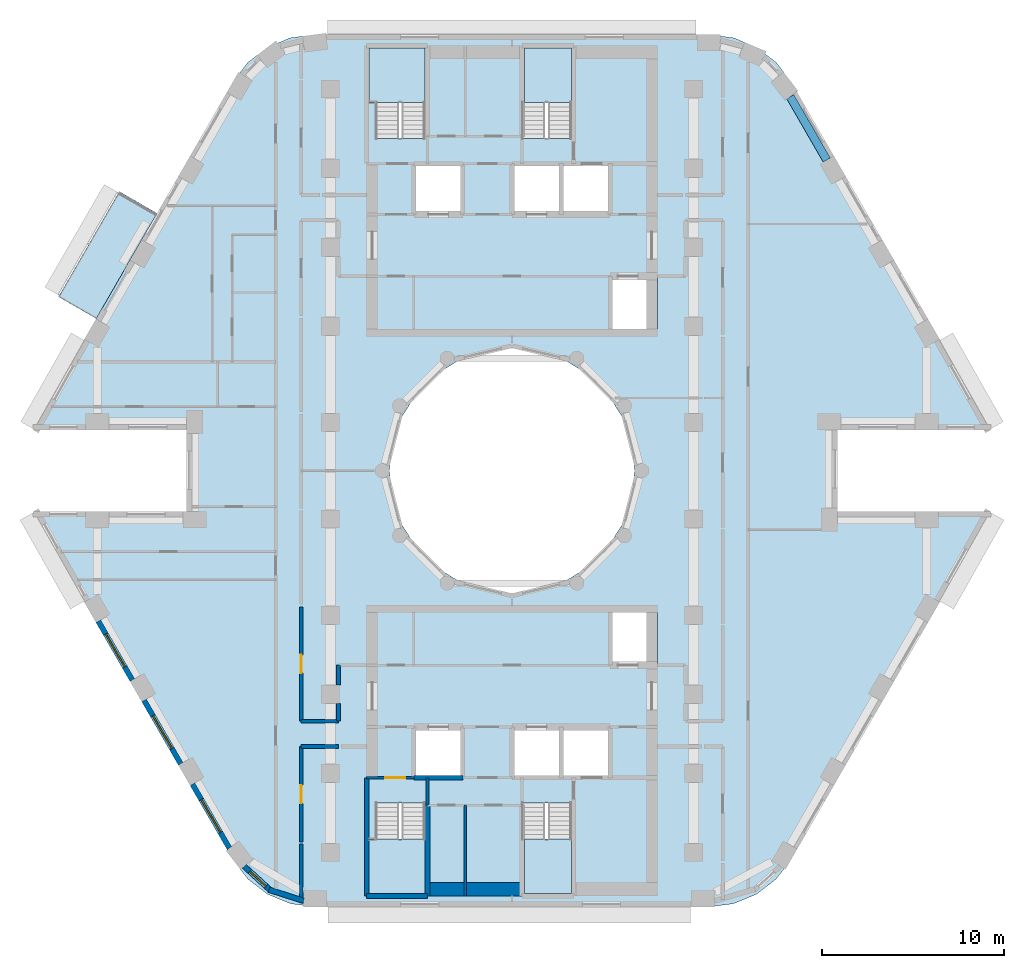
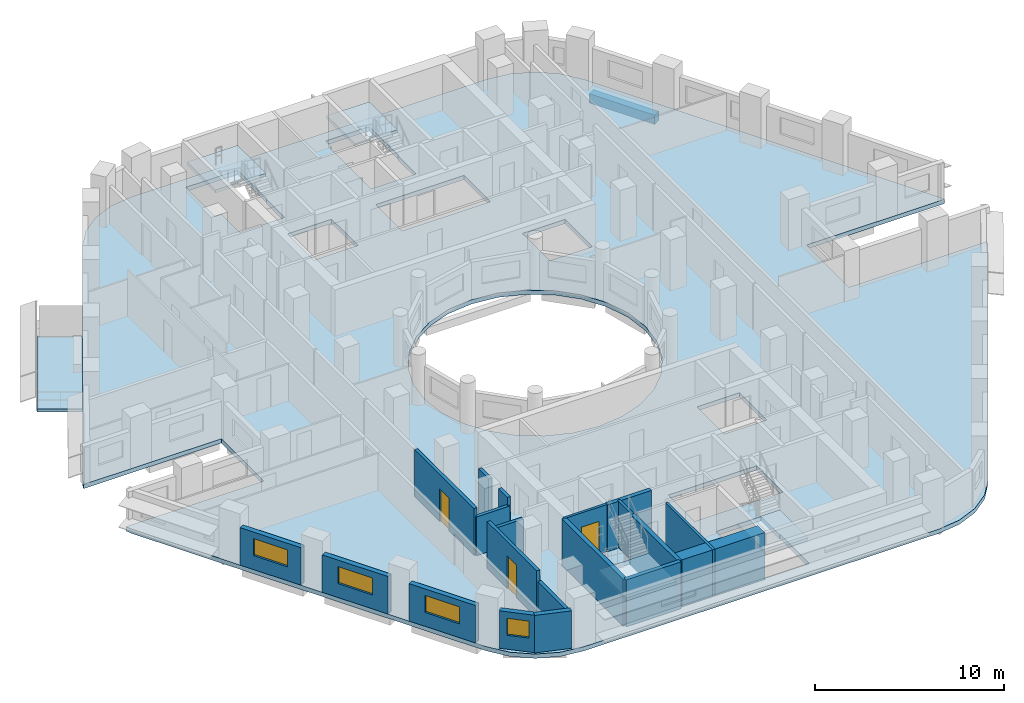
# One storey, part 2 of 13: 20 walls, 6 slabs, 4 windows, 3 doors, 1 beam, 7 openings, 4 elements without a shape of their own.
"""IFC4 building model written with IfcOpenShell, lengths in metres."""

from ifc_helpers import new_model, si_unit, direction, frame, frame_2d, origin, origin_2d, place, context, subcontext, project, spatial, polyline, rectangle, outline, extrude, material, layer, layer_set, material_profile, profile_set, type_object, element, fill, aggregate, save


model = new_model("IFC4")

# Units and contexts
model_context = context("Model", 3, precision=1e-05, world=origin(), true_north=direction((0.0, 1.0)))
body_context = subcontext(model_context, "Body", "Model", "MODEL_VIEW")
ifc_project = project(units=[si_unit("LENGTHUNIT", "METRE"), si_unit("AREAUNIT", "SQUARE_METRE"), si_unit("VOLUMEUNIT", "CUBIC_METRE"), si_unit("PLANEANGLEUNIT", "RADIAN"), si_unit("MASSUNIT", "GRAM", prefix="KILO")], contexts=[model_context])

# Site, building, storey
site_placement = place(None, origin())
site = spatial("IfcSite", under=ifc_project, at=site_placement, CompositionType="ELEMENT")
building_placement = place(site_placement, origin())
building = spatial("IfcBuilding", under=site, at=building_placement, Name="Nakaniwa Court", CompositionType="ELEMENT")
storey_placement = place(building_placement, frame((0.0, 0.0, 137.10009765625)))
storey = spatial("IfcBuildingStorey", under=building, at=storey_placement, Name="L35", CompositionType="ELEMENT", Elevation=137.10009765625)

# Beam
ifc_material_1 = material(Name="Concrete C80/100", Category="concrete")
ifc_material_profile = material_profile(ifc_material_1, rectangle(XDim=0.449951171875, YDim=0.60009765625, at=origin_2d()), Name="Concrete C80/100 RC 450x600 spandrel beam")
ifc_profile_set = profile_set([ifc_material_profile], Name="Concrete C80/100")
beam_type = type_object("IfcBeamType", Name="Concrete C80/100 RC 450x600 spandrel beam", PredefinedType="BEAM", material=ifc_profile_set)
beam_placement = place(storey_placement, frame((97.320556640625, 97.10009765625, -0.5751953125), z_axis=(-0.500018573463, 0.866014680125, 0.0), x_axis=(-0.866014680125, -0.500018573463, 0.0)))
element("IfcBeam", 1, at=beam_placement, inside=storey, type_object=beam_type, Name="SPANDREL BEAM", PredefinedType="BEAM", context=body_context, shape_type="SweptSolid", body=[
    extrude(rectangle(XDim=0.449951171875, YDim=0.60009765625, at=origin_2d()), origin(), (0.0, 0.0, 1.0), 4.020263671875),
])

# Slabs
ifc_material_2 = material(Name="Charcoal ceramic paver")
ifc_layer_1 = layer(ifc_material_2, 0.02, Name="Ceramic paver")
ifc_material_3 = material(Name="Cement sand screed")
ifc_layer_2 = layer(ifc_material_3, 0.03, Name="Falls screed")
ifc_material_4 = material(Name="Concrete C40/50", Category="concrete")
ifc_layer_3 = layer(ifc_material_4, 0.15, Name="Balcony slab")
ifc_layer_set_1 = layer_set([ifc_layer_1, ifc_layer_2, ifc_layer_3], Name="Concrete C40/50 balcony slab with ceramic paver finish")
slab_type_1 = type_object("IfcSlabType", Name="Balcony slab 200", PredefinedType="FLOOR", material=ifc_layer_set_1)
slab_1_placement = place(storey_placement, frame((0.0, 0.0, -0.25)))
element("IfcSlab", 2, at=slab_1_placement, inside=storey, type_object=slab_type_1, Name="L35 balcony 01", PredefinedType="FLOOR", context=body_context, shape_type="SweptSolid", body=[
    extrude(outline(polyline([(60.466796875, 94.16748046875), (57.12255859375, 88.375), (55.044189453125, 89.574951171875), (58.38818359375, 95.36767578125), (60.466796875, 94.16748046875)])), origin(), (0.0, 0.0, 1.0), 0.199951171875),
])
ifc_layer_4 = layer(ifc_material_1, 0.27490234375)
ifc_layer_set_2 = layer_set([ifc_layer_4], Name="Concrete C80/100")
slab_type_2 = type_object("IfcSlabType", Name="Concrete C80/100 post tensioned floor slab 275", PredefinedType="FLOOR", material=ifc_layer_set_2)
slab_2_placement = place(storey_placement, frame((0.0, 0.0, -0.275146484375)))
element("IfcSlab", 3, at=slab_2_placement, inside=storey, type_object=slab_type_2, Name="FLOOR SLAB", PredefinedType="FLOOR", context=body_context, shape_type="SweptSolid", body=[
    extrude(outline(polyline([(97.908447265625, 82.25), (106.356689453125, 82.25), (106.211669921875, 82.60009765625), (95.357421875, 101.39990234375), (94.531005859375, 102.47705078125), (93.4541015625, 103.30322265625), (92.199951171875, 103.82275390625), (90.854248046875, 104.0), (69.145751953125, 104.0), (67.800048828125, 103.82275390625), (66.5458984375, 103.30322265625), (65.468994140625, 102.47705078125), (64.642578125, 101.39990234375), (53.788330078125, 82.60009765625), (53.643310546875, 82.25), (62.091552734375, 82.25), (62.091552734375, 77.75), (53.643310546875, 77.75), (53.788330078125, 77.39990234375), (64.642578125, 58.60009765625), (65.468994140625, 57.52294921875), (66.5458984375, 56.69677734375), (67.800048828125, 56.17724609375), (69.145751953125, 56.0), (90.854248046875, 56.0), (92.199951171875, 56.17724609375), (93.4541015625, 56.69677734375), (94.531005859375, 57.52294921875), (95.357421875, 58.60009765625), (106.211669921875, 77.39990234375), (106.356689453125, 77.75), (97.908447265625, 77.75), (97.908447265625, 82.25)]), holes=[polyline([(81.501953125, 86.580810546875), (80.0, 86.75), (78.498046875, 86.580810546875), (77.0712890625, 86.08154296875), (75.79150390625, 85.27734375), (74.72265625, 84.20849609375), (73.91845703125, 82.9287109375), (73.419189453125, 81.501953125), (73.25, 80.0), (73.419189453125, 78.498046875), (73.91845703125, 77.0712890625), (74.72265625, 75.79150390625), (75.79150390625, 74.72265625), (77.0712890625, 73.91845703125), (78.498046875, 73.419189453125), (80.0, 73.25), (81.501953125, 73.419189453125), (82.9287109375, 73.91845703125), (84.20849609375, 74.72265625), (85.27734375, 75.79150390625), (86.08154296875, 77.0712890625), (86.580810546875, 78.498046875), (86.75, 80.0), (86.580810546875, 81.501953125), (86.08154296875, 82.9287109375), (85.27734375, 84.20849609375), (84.20849609375, 85.27734375), (82.9287109375, 86.08154296875), (81.501953125, 86.580810546875)]), polyline([(72.47509765625, 61.7099609375), (72.47509765625, 59.764892578125), (72.0849609375, 59.764892578125), (72.0849609375, 56.68505859375), (75.264892578125, 56.68505859375), (75.264892578125, 59.764892578125), (75.22509765625, 59.764892578125), (75.22509765625, 61.7099609375), (72.47509765625, 61.7099609375)]), polyline([(77.300048828125, 65.89990234375), (74.60009765625, 65.89990234375), (74.60009765625, 63.10009765625), (77.300048828125, 63.10009765625), (77.300048828125, 65.89990234375)]), polyline([(80.0, 65.89990234375), (80.0, 63.10009765625), (82.699951171875, 63.10009765625), (85.39990234375, 63.10009765625), (85.39990234375, 65.89990234375), (82.699951171875, 65.89990234375), (80.0, 65.89990234375)]), polyline([(77.300048828125, 96.89990234375), (74.60009765625, 96.89990234375), (74.60009765625, 94.10009765625), (77.300048828125, 94.10009765625), (77.300048828125, 96.89990234375)]), polyline([(80.0, 96.89990234375), (80.0, 94.10009765625), (82.699951171875, 94.10009765625), (85.39990234375, 94.10009765625), (85.39990234375, 96.89990234375), (82.699951171875, 96.89990234375), (80.0, 96.89990234375)]), polyline([(75.264892578125, 100.235107421875), (75.264892578125, 103.31494140625), (72.0849609375, 103.31494140625), (72.0849609375, 100.235107421875), (72.47509765625, 100.235107421875), (72.47509765625, 98.2900390625), (75.22509765625, 98.2900390625), (75.22509765625, 100.235107421875), (75.264892578125, 100.235107421875)]), polyline([(83.27490234375, 61.7099609375), (80.52490234375, 61.7099609375), (80.52490234375, 57.324951171875), (80.635009765625, 57.324951171875), (80.635009765625, 56.68505859375), (83.31494140625, 56.68505859375), (83.31494140625, 59.764892578125), (83.27490234375, 59.764892578125), (83.27490234375, 61.7099609375)]), polyline([(88.0, 72.199951171875), (85.39990234375, 72.199951171875), (85.39990234375, 69.300048828125), (88.0, 69.300048828125), (88.0, 72.199951171875)]), polyline([(88.0, 90.699951171875), (85.39990234375, 90.699951171875), (85.39990234375, 87.800048828125), (88.0, 87.800048828125), (88.0, 90.699951171875)]), polyline([(83.31494140625, 100.235107421875), (83.31494140625, 103.31494140625), (80.635009765625, 103.31494140625), (80.635009765625, 102.675048828125), (80.52490234375, 102.675048828125), (80.52490234375, 98.2900390625), (83.27490234375, 98.2900390625), (83.27490234375, 100.235107421875), (83.31494140625, 100.235107421875)])]), origin(), (0.0, 0.0, 1.0), 0.275146484375),
])

# Stair, slab
stair_type = type_object("IfcStairType", Name="Dog leg stair 1300 wide 18 risers", PredefinedType="HALF_TURN_STAIR", material=ifc_material_1)
stair_1_placement = place(storey_placement, origin())
stair_1 = element("IfcStair", 4, at=stair_1_placement, inside=storey, type_object=stair_type, Name="L35 Stair ST1", PredefinedType="HALF_TURN_STAIR")
ifc_layer_5 = layer(ifc_material_1, 0.199951171875)
ifc_layer_set_3 = layer_set([ifc_layer_5], Name="Concrete C80/100")
slab_type_3 = type_object("IfcSlabType", Name="Stair landing concrete", PredefinedType="LANDING", material=ifc_layer_set_3)
slab_3_placement = place(storey_placement, frame((0.0, 0.0, 1.449951171875)))
slab_3 = element("IfcSlab", 5, at=slab_3_placement, type_object=slab_type_3, Name="ST1 landing 1", PredefinedType="LANDING", context=body_context, shape_type="SweptSolid", body=[
    extrude(outline(polyline([(75.22509765625, 100.27490234375), (75.22509765625, 103.27490234375), (72.125, 103.27490234375), (72.125, 100.27490234375), (75.22509765625, 100.27490234375)])), origin(), (0.0, 0.0, 1.0), 0.199951171875),
])
aggregate(stair_1, [slab_3])

stair_2_placement = place(storey_placement, origin())
stair_2 = element("IfcStair", 6, at=stair_2_placement, inside=storey, type_object=stair_type, Name="L35 Stair ST2", PredefinedType="HALF_TURN_STAIR")
slab_4_placement = place(storey_placement, frame((0.0, 0.0, 1.449951171875)))
slab_4 = element("IfcSlab", 7, at=slab_4_placement, type_object=slab_type_3, Name="ST2 landing 1", PredefinedType="LANDING", context=body_context, shape_type="SweptSolid", body=[
    extrude(outline(polyline([(83.27490234375, 100.27490234375), (83.27490234375, 103.27490234375), (80.675048828125, 103.27490234375), (80.675048828125, 100.27490234375), (83.27490234375, 100.27490234375)])), origin(), (0.0, 0.0, 1.0), 0.199951171875),
])
aggregate(stair_2, [slab_4])

stair_3_placement = place(storey_placement, origin())
stair_3 = element("IfcStair", 8, at=stair_3_placement, inside=storey, type_object=stair_type, Name="L35 Stair ST3", PredefinedType="HALF_TURN_STAIR")
slab_5_placement = place(storey_placement, frame((0.0, 0.0, 1.449951171875)))
slab_5 = element("IfcSlab", 9, at=slab_5_placement, type_object=slab_type_3, Name="ST3 landing 1", PredefinedType="LANDING", context=body_context, shape_type="SweptSolid", body=[
    extrude(outline(polyline([(75.22509765625, 56.72509765625), (75.22509765625, 59.72509765625), (72.125, 59.72509765625), (72.125, 56.72509765625), (75.22509765625, 56.72509765625)])), origin(), (0.0, 0.0, 1.0), 0.199951171875),
])
aggregate(stair_3, [slab_5])

stair_4_placement = place(storey_placement, origin())
stair_4 = element("IfcStair", 10, at=stair_4_placement, inside=storey, type_object=stair_type, Name="L35 Stair ST4", PredefinedType="HALF_TURN_STAIR")
slab_6_placement = place(storey_placement, frame((0.0, 0.0, 1.449951171875)))
slab_6 = element("IfcSlab", 11, at=slab_6_placement, type_object=slab_type_3, Name="ST4 landing 1", PredefinedType="LANDING", context=body_context, shape_type="SweptSolid", body=[
    extrude(outline(polyline([(83.27490234375, 56.72509765625), (83.27490234375, 59.72509765625), (80.675048828125, 59.72509765625), (80.675048828125, 56.72509765625), (83.27490234375, 56.72509765625)])), origin(), (0.0, 0.0, 1.0), 0.199951171875),
])
aggregate(stair_4, [slab_6])

# Walls
ifc_material_5 = material(Name="Acoustic double stud partition")
ifc_layer_6 = layer(ifc_material_5, 0.199951171875)
ifc_layer_set_4 = layer_set([ifc_layer_6], Name="Acoustic double stud partition")
wall_type_1 = type_object("IfcWallType", Name="Acoustic double stud partition 200", PredefinedType="PARTITIONING", material=ifc_layer_set_4)
wall_1_placement = place(storey_placement, frame((68.39990234375, 64.824951171875, 0.0), z_axis=(0.0, 0.0, 1.0), x_axis=(1.0, 0.0, 0.0)))
element("IfcWall", 12, at=wall_1_placement, inside=storey, type_object=wall_type_1, Name="Partition PW-073", PredefinedType="PARTITIONING", context=body_context, shape_type="SweptSolid", body=[
    extrude(rectangle(XDim=2.06298828125, YDim=0.199951171875, at=frame_2d((1.031494140625, 0.0))), origin(), (0.0, 0.0, 1.0), 2.5048828125),
])
wall_2_placement = place(storey_placement, frame((68.39990234375, 66.22509765625, 0.0), z_axis=(0.0, 0.0, 1.0), x_axis=(1.0, 0.0, 0.0)))
element("IfcWall", 13, at=wall_2_placement, inside=storey, type_object=wall_type_1, Name="Partition PW-084", PredefinedType="PARTITIONING", context=body_context, shape_type="SweptSolid", body=[
    extrude(rectangle(XDim=2.050048828125, YDim=0.199951171875, at=frame_2d((1.02490234375, 0.0))), origin(), (0.0, 0.0, 1.0), 2.5048828125),
])
wall_3_placement = place(storey_placement, frame((68.39990234375, 56.40087890625, 0.0), z_axis=(0.0, 0.0, 1.0), x_axis=(0.0, 1.0, 0.0)))
element("IfcWall", 14, at=wall_3_placement, inside=storey, type_object=wall_type_1, Name="Partition PW-094", PredefinedType="PARTITIONING", context=body_context, shape_type="SweptSolid", body=[
    extrude(rectangle(XDim=3.06201171875, YDim=0.199951171875, at=frame_2d((1.531005859375, 0.0))), origin(), (0.0, 0.0, 1.0), 2.40478515625),
])

# Wall, opening, door
wall_4_placement = place(storey_placement, frame((68.39990234375, 64.824951171875, 0.0), z_axis=(0.0, 0.0, 1.0), x_axis=(0.0, -1.0, 0.0)))
wall_4 = element("IfcWall", 15, at=wall_4_placement, inside=storey, type_object=wall_type_1, Name="Partition PW-095", PredefinedType="PARTITIONING", context=body_context, shape_type="SweptSolid", body=[
    extrude(rectangle(XDim=5.247802734375, YDim=0.199951171875, at=frame_2d((2.6240234375, 0.0))), origin(), (0.0, 0.0, 1.0), 3.02490234375),
])
opening_1_placement = place(wall_4_placement, frame((2.123046875, 0.0, 0.0)))
opening_1 = element("IfcOpeningElement", 16, at=opening_1_placement, cuts=wall_4, Name="Opening D-02-06", PredefinedType="OPENING", context=body_context, shape_type="SweptSolid", body=[
    extrude(rectangle(XDim=1.0, YDim=2.10009765625, at=frame_2d((0.5, 1.050048828125))), frame((0.0, 0.10986328125, 0.0), z_axis=(0.0, -1.0, 0.0), x_axis=(1.0, 0.0, 0.0)), (0.0, 0.0, 1.0), 0.219970703125),
])
ifc_material_6 = material(Name="Solid core timber door set, black veneer", Category="wood")
door_type_1 = type_object("IfcDoorType", Name="Internal door 1000", OperationType="NOTDEFINED", PredefinedType="DOOR", material=ifc_material_6)
door_1_placement = place(opening_1_placement, origin())
door_1 = element("IfcDoor", 17, at=door_1_placement, inside=storey, type_object=door_type_1, Name="Door D-02-06 L35-026", OperationType="SINGLE_SWING_LEFT", OverallHeight=2.10009765625, OverallWidth=1.0, PredefinedType="DOOR", context=body_context, shape_type="SweptSolid", body=[
    extrude(rectangle(XDim=1.0, YDim=2.10009765625, at=frame_2d((0.5, 1.050048828125))), frame((0.0, 0.02490234375, 0.0), z_axis=(0.0, -1.0, 0.0), x_axis=(1.0, 0.0, 0.0)), (0.0, 0.0, 1.0), 0.050048828125),
])
fill(opening_1, door_1)

wall_5_placement = place(storey_placement, frame((68.39990234375, 72.5126953125, 0.0), z_axis=(0.0, 0.0, 1.0), x_axis=(0.0, -1.0, 0.0)))
wall_5 = element("IfcWall", 18, at=wall_5_placement, inside=storey, type_object=wall_type_1, Name="Partition PW-096", PredefinedType="PARTITIONING", context=body_context, shape_type="SweptSolid", body=[
    extrude(rectangle(XDim=6.28759765625, YDim=0.199951171875, at=frame_2d((3.143798828125, 0.0))), origin(), (0.0, 0.0, 1.0), 3.02490234375),
])
opening_2_placement = place(wall_5_placement, frame((2.64501953125, 0.0, 0.0)))
opening_2 = element("IfcOpeningElement", 19, at=opening_2_placement, cuts=wall_5, Name="Opening D-02-08", PredefinedType="OPENING", context=body_context, shape_type="SweptSolid", body=[
    extrude(rectangle(XDim=1.0, YDim=2.10009765625, at=frame_2d((0.5, 1.050048828125))), frame((0.0, 0.10986328125, 0.0), z_axis=(0.0, -1.0, 0.0), x_axis=(1.0, 0.0, 0.0)), (0.0, 0.0, 1.0), 0.219970703125),
])
door_2_placement = place(opening_2_placement, origin())
door_2 = element("IfcDoor", 20, at=door_2_placement, inside=storey, type_object=door_type_1, Name="Door D-02-08 L35-028", OperationType="SINGLE_SWING_LEFT", OverallHeight=2.10009765625, OverallWidth=1.0, PredefinedType="DOOR", context=body_context, shape_type="SweptSolid", body=[
    extrude(rectangle(XDim=1.0, YDim=2.10009765625, at=frame_2d((0.5, 1.050048828125))), frame((0.0, 0.02490234375, 0.0), z_axis=(0.0, -1.0, 0.0), x_axis=(1.0, 0.0, 0.0)), (0.0, 0.0, 1.0), 0.050048828125),
])
fill(opening_2, door_2)

# Walls
wall_6_placement = place(storey_placement, frame((70.449951171875, 66.22509765625, 0.0), z_axis=(0.0, 0.0, 1.0), x_axis=(0.0, 1.0, 0.0)))
element("IfcWall", 21, at=wall_6_placement, inside=storey, type_object=wall_type_1, Name="Partition PW-104", PredefinedType="PARTITIONING", context=body_context, shape_type="SweptSolid", body=[
    extrude(rectangle(XDim=0.957763671875, YDim=0.199951171875, at=frame_2d((0.47900390625, 0.0))), origin(), (0.0, 0.0, 1.0), 3.02490234375),
])
wall_7_placement = place(storey_placement, frame((70.449951171875, 68.21728515625, 0.0), z_axis=(0.0, 0.0, 1.0), x_axis=(0.0, 1.0, 0.0)))
element("IfcWall", 22, at=wall_7_placement, inside=storey, type_object=wall_type_1, Name="Partition PW-105", PredefinedType="PARTITIONING", context=body_context, shape_type="SweptSolid", body=[
    extrude(rectangle(XDim=1.082763671875, YDim=0.199951171875, at=frame_2d((0.54150390625, 0.0))), origin(), (0.0, 0.0, 1.0), 3.02490234375),
])

# Wall, opening, window
ifc_material_7 = material(Name="Charcoal ceramic cladding")
ifc_layer_7 = layer(ifc_material_7, 0.02, Name="Ceramic cladding")
ifc_material_8 = material(Name="Ventilated air cavity")
ifc_layer_8 = layer(ifc_material_8, 0.04, ventilated=True, Name="Ventilated cavity")
ifc_material_9 = material(Name="Mineral wool insulation")
ifc_layer_9 = layer(ifc_material_9, 0.1, Name="Insulation")
ifc_material_10 = material(Name="Cement bonded sheathing board")
ifc_layer_10 = layer(ifc_material_10, 0.012, Name="Sheathing")
ifc_material_11 = material(Name="Cold-formed galvanised stud frame with mineral wool infill")
ifc_layer_11 = layer(ifc_material_11, 0.1, Name="Stud frame")
ifc_material_12 = material(Name="Fire-rated gypsum plasterboard lining")
ifc_layer_12 = layer(ifc_material_12, 0.028, Name="Lining")
ifc_layer_set_5 = layer_set([ifc_layer_7, ifc_layer_8, ifc_layer_9, ifc_layer_10, ifc_layer_11, ifc_layer_12], Name="Charcoal ceramic faced external wall system")
wall_type_2 = type_object("IfcWallType", Name="Black ceramic faced external wall 300", PredefinedType="SOLIDWALL", material=ifc_layer_set_5)
wall_8_placement = place(storey_placement, frame((57.240478515625, 71.720947265625, 0.0), z_axis=(0.0, 0.0, 1.0), x_axis=(0.499933594891, -0.866063739398, 0.0)))
wall_8 = element("IfcWall", 23, at=wall_8_placement, inside=storey, type_object=wall_type_2, Name="L35 external wall 21", PredefinedType="SOLIDWALL", context=body_context, shape_type="SweptSolid", body=[
    extrude(rectangle(XDim=3.73681640625, YDim=0.300048828125, at=frame_2d((1.868408203125, 0.0))), origin(), (0.0, 0.0, 1.0), 2.4248046875),
])
opening_3_placement = place(wall_8_placement, frame((0.818359375, 0.0, 0.89990234375)))
opening_3 = element("IfcOpeningElement", 24, at=opening_3_placement, cuts=wall_8, Name="Opening W7.23", PredefinedType="OPENING", context=body_context, shape_type="SweptSolid", body=[
    extrude(rectangle(XDim=2.10009765625, YDim=1.10009765625, at=frame_2d((1.050048828125, 0.550048828125))), frame((0.0, 0.159912109375, 0.0), z_axis=(0.0, -1.0, 0.0), x_axis=(1.0, 0.0, 0.0)), (0.0, 0.0, 1.0), 0.320068359375),
])
ifc_material_13 = material(Name="Black anodised aluminium frame with dark low-E laminated double glazing", Category="aluminium")
window_type_1 = type_object("IfcWindowType", Name="Dark glass window 2100x1100 sill 900", PartitioningType="SINGLE_PANEL", PredefinedType="WINDOW", material=ifc_material_13)
window_1_placement = place(opening_3_placement, origin())
window_1 = element("IfcWindow", 25, at=window_1_placement, inside=storey, type_object=window_type_1, Name="L35 habitable room window 21-0", OverallHeight=1.10009765625, OverallWidth=2.10009765625, PartitioningType="SINGLE_PANEL", PredefinedType="WINDOW", context=body_context, shape_type="SweptSolid", body=[
    extrude(rectangle(XDim=2.10009765625, YDim=1.10009765625, at=frame_2d((1.050048828125, 0.550048828125))), frame((0.0, 0.030029296875, 0.0), z_axis=(0.0, -1.0, 0.0), x_axis=(1.0, 0.0, 0.0)), (0.0, 0.0, 1.0), 0.06005859375),
])
fill(opening_3, window_1)

wall_9_placement = place(storey_placement, frame((59.754638671875, 67.36572265625, 0.0), z_axis=(0.0, 0.0, 1.0), x_axis=(0.500031546601, -0.86600718958, 0.0)))
wall_9 = element("IfcWall", 26, at=wall_9_placement, inside=storey, type_object=wall_type_2, Name="L35 external wall 22", PredefinedType="SOLIDWALL", context=body_context, shape_type="SweptSolid", body=[
    extrude(rectangle(XDim=4.033935546875, YDim=0.300048828125, at=frame_2d((2.01708984375, 0.0))), origin(), (0.0, 0.0, 1.0), 2.4248046875),
])
opening_4_placement = place(wall_9_placement, frame((0.966796875, 0.0, 0.89990234375)))
opening_4 = element("IfcOpeningElement", 27, at=opening_4_placement, cuts=wall_9, Name="Opening W7.24", PredefinedType="OPENING", context=body_context, shape_type="SweptSolid", body=[
    extrude(rectangle(XDim=2.10009765625, YDim=1.10009765625, at=frame_2d((1.050048828125, 0.550048828125))), frame((0.0, 0.159912109375, 0.0), z_axis=(0.0, -1.0, 0.0), x_axis=(1.0, 0.0, 0.0)), (0.0, 0.0, 1.0), 0.320068359375),
])
window_2_placement = place(opening_4_placement, origin())
window_2 = element("IfcWindow", 28, at=window_2_placement, inside=storey, type_object=window_type_1, Name="L35 habitable room window 22-0", OverallHeight=1.10009765625, OverallWidth=2.10009765625, PartitioningType="SINGLE_PANEL", PredefinedType="WINDOW", context=body_context, shape_type="SweptSolid", body=[
    extrude(rectangle(XDim=2.10009765625, YDim=1.10009765625, at=frame_2d((1.050048828125, 0.550048828125))), frame((0.0, 0.030029296875, 0.0), z_axis=(0.0, -1.0, 0.0), x_axis=(1.0, 0.0, 0.0)), (0.0, 0.0, 1.0), 0.06005859375),
])
fill(opening_4, window_2)

wall_10_placement = place(storey_placement, frame((62.417724609375, 62.75341796875, 0.0), z_axis=(0.0, 0.0, 1.0), x_axis=(0.500018589245, -0.866014671013, 0.0)))
wall_10 = element("IfcWall", 29, at=wall_10_placement, inside=storey, type_object=wall_type_2, Name="L35 external wall 23", PredefinedType="SOLIDWALL", context=body_context, shape_type="SweptSolid", body=[
    extrude(rectangle(XDim=4.067626953125, YDim=0.300048828125, at=frame_2d((2.03369140625, 0.0))), origin(), (0.0, 0.0, 1.0), 2.4248046875),
])
opening_5_placement = place(wall_10_placement, frame((0.97265625, 0.0, 0.89990234375)))
opening_5 = element("IfcOpeningElement", 30, at=opening_5_placement, cuts=wall_10, Name="Opening W7.25", PredefinedType="OPENING", context=body_context, shape_type="SweptSolid", body=[
    extrude(rectangle(XDim=2.10009765625, YDim=1.10009765625, at=frame_2d((1.050048828125, 0.550048828125))), frame((0.0, 0.159912109375, 0.0), z_axis=(0.0, -1.0, 0.0), x_axis=(1.0, 0.0, 0.0)), (0.0, 0.0, 1.0), 0.320068359375),
])
window_3_placement = place(opening_5_placement, origin())
window_3 = element("IfcWindow", 31, at=window_3_placement, inside=storey, type_object=window_type_1, Name="L35 habitable room window 23-0", OverallHeight=1.10009765625, OverallWidth=2.10009765625, PartitioningType="SINGLE_PANEL", PredefinedType="WINDOW", context=body_context, shape_type="SweptSolid", body=[
    extrude(rectangle(XDim=2.10009765625, YDim=1.10009765625, at=frame_2d((1.050048828125, 0.550048828125))), frame((0.0, 0.030029296875, 0.0), z_axis=(0.0, -1.0, 0.0), x_axis=(1.0, 0.0, 0.0)), (0.0, 0.0, 1.0), 0.06005859375),
])
fill(opening_5, window_3)

wall_11_placement = place(storey_placement, frame((65.26904296875, 58.229248046875, 0.0), z_axis=(0.0, 0.0, 1.0), x_axis=(0.737487298625, -0.675361002995, 0.0)))
wall_11 = element("IfcWall", 32, at=wall_11_placement, inside=storey, type_object=wall_type_2, Name="L35 external wall 24", PredefinedType="SOLIDWALL", context=body_context, shape_type="SweptSolid", body=[
    extrude(rectangle(XDim=1.9765625, YDim=0.300048828125, at=frame_2d((0.98828125, 0.0))), origin(), (0.0, 0.0, 1.0), 2.4248046875),
])
opening_6_placement = place(wall_11_placement, frame((0.41552734375, 0.0, 0.89990234375)))
opening_6 = element("IfcOpeningElement", 33, at=opening_6_placement, cuts=wall_11, Name="Opening W6.26", PredefinedType="OPENING", context=body_context, shape_type="SweptSolid", body=[
    extrude(rectangle(XDim=1.199951171875, YDim=1.10009765625, at=frame_2d((0.60009765625, 0.550048828125))), frame((0.0, 0.159912109375, 0.0), z_axis=(0.0, -1.0, 0.0), x_axis=(1.0, 0.0, 0.0)), (0.0, 0.0, 1.0), 0.320068359375),
])
window_type_2 = type_object("IfcWindowType", Name="Dark glass window 1200x1100 sill 900", PartitioningType="SINGLE_PANEL", PredefinedType="WINDOW", material=ifc_material_13)
window_4_placement = place(opening_6_placement, origin())
window_4 = element("IfcWindow", 34, at=window_4_placement, inside=storey, type_object=window_type_2, Name="L35 habitable room window 24-0", OverallHeight=1.10009765625, OverallWidth=1.199951171875, PartitioningType="SINGLE_PANEL", PredefinedType="WINDOW", context=body_context, shape_type="SweptSolid", body=[
    extrude(rectangle(XDim=1.199951171875, YDim=1.10009765625, at=frame_2d((0.60009765625, 0.550048828125))), frame((0.0, 0.030029296875, 0.0), z_axis=(0.0, -1.0, 0.0), x_axis=(1.0, 0.0, 0.0)), (0.0, 0.0, 1.0), 0.06005859375),
])
fill(opening_6, window_4)

# Walls
wall_12_placement = place(storey_placement, frame((66.625732421875, 56.94580078125, 0.0), z_axis=(0.0, 0.0, 1.0), x_axis=(0.952201240673, -0.305471434444, 0.0)))
element("IfcWall", 35, at=wall_12_placement, inside=storey, type_object=wall_type_2, Name="L35 external wall 25", PredefinedType="SOLIDWALL", context=body_context, shape_type="SweptSolid", body=[
    extrude(rectangle(XDim=1.998779296875, YDim=0.300048828125, at=frame_2d((0.99951171875, 0.0))), origin(), (0.0, 0.0, 1.0), 2.4248046875),
])
ifc_material_14 = material(Name="Blockwork partition", Category="masonry")
ifc_layer_13 = layer(ifc_material_14, 0.14990234375)
ifc_layer_set_6 = layer_set([ifc_layer_13], Name="Blockwork partition")
wall_type_3 = type_object("IfcWallType", Name="Blockwork partition 150", PredefinedType="PARTITIONING", material=ifc_layer_set_6)
wall_13_placement = place(storey_placement, frame((77.429931640625, 56.60009765625, 0.0), z_axis=(0.0, 0.0, 1.0), x_axis=(0.0, 1.0, 0.0)))
element("IfcWall", 36, at=wall_13_placement, inside=storey, type_object=wall_type_3, Name="Partition PW-064", PredefinedType="PARTITIONING", context=body_context, shape_type="SweptSolid", body=[
    extrude(rectangle(XDim=5.0, YDim=0.14990234375, at=frame_2d((2.5, 0.0))), origin(), (0.0, 0.0, 1.0), 3.02490234375),
])

# Wall, opening, door
ifc_layer_14 = layer(ifc_material_1, 0.14990234375)
ifc_layer_set_7 = layer_set([ifc_layer_14], Name="Concrete C80/100")
wall_type_4 = type_object("IfcWallType", Name="Concrete core wall 150 C80", PredefinedType="SHEAR", material=ifc_layer_set_7)
wall_14_placement = place(storey_placement, frame((72.0, 63.10009765625, -0.275146484375), z_axis=(0.0, 0.0, 1.0), x_axis=(1.0, 0.0, 0.0)))
wall_14 = element("IfcWall", 37, at=wall_14_placement, inside=storey, type_object=wall_type_4, Name="Core wall SW-46", PredefinedType="SHEAR", context=body_context, shape_type="SweptSolid", body=[
    extrude(rectangle(XDim=2.60009765625, YDim=0.14990234375, at=frame_2d((1.300048828125, 0.0))), origin(), (0.0, 0.0, 1.0), 3.300048828125),
])
opening_7_placement = place(wall_14_placement, frame((1.02001953125, 0.0, 0.27490234375)))
opening_7 = element("IfcOpeningElement", 38, at=opening_7_placement, cuts=wall_14, Name="Opening D-09-02", PredefinedType="OPENING", context=body_context, shape_type="SweptSolid", body=[
    extrude(rectangle(XDim=1.10009765625, YDim=2.10009765625, at=frame_2d((0.550048828125, 1.050048828125))), frame((0.0, 0.0849609375, 0.0), z_axis=(0.0, -1.0, 0.0), x_axis=(1.0, 0.0, 0.0)), (0.0, 0.0, 1.0), 0.169921875),
])
ifc_material_15 = material(Name="Fire rated steel door set", Category="steel")
door_type_2 = type_object("IfcDoorType", Name="Stair door 1100", OperationType="NOTDEFINED", PredefinedType="DOOR", material=ifc_material_15)
door_3_placement = place(opening_7_placement, origin())
door_3 = element("IfcDoor", 39, at=door_3_placement, inside=storey, type_object=door_type_2, Name="Door D-09-02 L35-019", OperationType="SINGLE_SWING_LEFT", OverallHeight=2.10009765625, OverallWidth=1.10009765625, PredefinedType="DOOR", context=body_context, shape_type="SweptSolid", body=[
    extrude(rectangle(XDim=1.10009765625, YDim=2.10009765625, at=frame_2d((0.550048828125, 1.050048828125))), frame((0.0, 0.02490234375, 0.0), z_axis=(0.0, -1.0, 0.0), x_axis=(1.0, 0.0, 0.0)), (0.0, 0.0, 1.0), 0.050048828125),
])
fill(opening_7, door_3)

# Walls
wall_15_placement = place(storey_placement, frame((75.35009765625, 61.596923828125, -0.275146484375), z_axis=(0.0, 0.0, 1.0), x_axis=(0.0, 1.0, 0.0)))
element("IfcWall", 40, at=wall_15_placement, inside=storey, type_object=wall_type_4, Name="Core wall SW-53", PredefinedType="SHEAR", context=body_context, shape_type="SweptSolid", body=[
    extrude(rectangle(XDim=1.503173828125, YDim=0.14990234375, at=frame_2d((0.75146484375, 0.0))), origin(), (0.0, 0.0, 1.0), 3.300048828125),
])
ifc_layer_15 = layer(ifc_material_1, 0.25)
ifc_layer_set_8 = layer_set([ifc_layer_15], Name="Concrete C80/100")
wall_type_5 = type_object("IfcWallType", Name="Concrete core wall 250 C80", PredefinedType="SHEAR", material=ifc_layer_set_8)
wall_16_placement = place(storey_placement, frame((72.0, 56.60009765625, -0.275146484375), z_axis=(0.0, 0.0, 1.0), x_axis=(0.0, 1.0, 0.0)))
element("IfcWall", 41, at=wall_16_placement, inside=storey, type_object=wall_type_5, Name="Core wall SW-55", PredefinedType="SHEAR", context=body_context, shape_type="SweptSolid", body=[
    extrude(rectangle(XDim=6.5, YDim=0.25, at=frame_2d((3.25, 0.0))), origin(), (0.0, 0.0, 1.0), 3.300048828125),
])
wall_17_placement = place(storey_placement, frame((72.0, 56.60009765625, -0.275146484375), z_axis=(0.0, 0.0, 1.0), x_axis=(1.0, 0.0, 0.0)))
element("IfcWall", 42, at=wall_17_placement, inside=storey, type_object=wall_type_5, Name="Core wall SW-56", PredefinedType="SHEAR", context=body_context, shape_type="SweptSolid", body=[
    extrude(rectangle(XDim=3.35009765625, YDim=0.25, at=frame_2d((1.675048828125, 0.0))), origin(), (0.0, 0.0, 1.0), 3.300048828125),
])
ifc_layer_16 = layer(ifc_material_1, 0.75)
ifc_layer_set_9 = layer_set([ifc_layer_16], Name="Concrete C80/100")
wall_type_6 = type_object("IfcWallType", Name="Concrete core wall 750 C80", PredefinedType="SHEAR", material=ifc_layer_set_9)
wall_18_placement = place(storey_placement, frame((75.35009765625, 56.97509765625, -0.275146484375), z_axis=(0.0, 0.0, 1.0), x_axis=(1.0, 0.0, 0.0)))
element("IfcWall", 43, at=wall_18_placement, inside=storey, type_object=wall_type_6, Name="Core wall SW-61", PredefinedType="SHEAR", context=body_context, shape_type="SweptSolid", body=[
    extrude(rectangle(XDim=5.199951171875, YDim=0.75, at=frame_2d((2.60009765625, 0.0))), origin(), (0.0, 0.0, 1.0), 3.300048828125),
])
ifc_layer_17 = layer(ifc_material_1, 0.25)
ifc_layer_set_10 = layer_set([ifc_layer_17], Name="Concrete C80/100")
wall_type_7 = type_object("IfcWallType", Name="Concrete shaft wall 250 C80", PredefinedType="SHEAR", material=ifc_layer_set_10)
wall_19_placement = place(storey_placement, frame((74.60009765625, 63.10009765625, -0.275146484375), z_axis=(0.0, 0.0, 1.0), x_axis=(1.0, 0.0, 0.0)))
element("IfcWall", 44, at=wall_19_placement, inside=storey, type_object=wall_type_7, Name="Core wall SW-48", PredefinedType="SHEAR", context=body_context, shape_type="SweptSolid", body=[
    extrude(rectangle(XDim=2.699951171875, YDim=0.25, at=frame_2d((1.35009765625, 0.0))), origin(), (0.0, 0.0, 1.0), 3.300048828125),
])
wall_20_placement = place(storey_placement, frame((75.35009765625, 56.60009765625, -0.275146484375), z_axis=(0.0, 0.0, 1.0), x_axis=(0.0, 1.0, 0.0)))
element("IfcWall", 45, at=wall_20_placement, inside=storey, type_object=wall_type_7, Name="Core wall SW-54", PredefinedType="SHEAR", context=body_context, shape_type="SweptSolid", body=[
    extrude(rectangle(XDim=5.0029296875, YDim=0.25, at=frame_2d((2.50146484375, 0.0))), origin(), (0.0, 0.0, 1.0), 3.300048828125),
])

save(model, "model.ifc")
